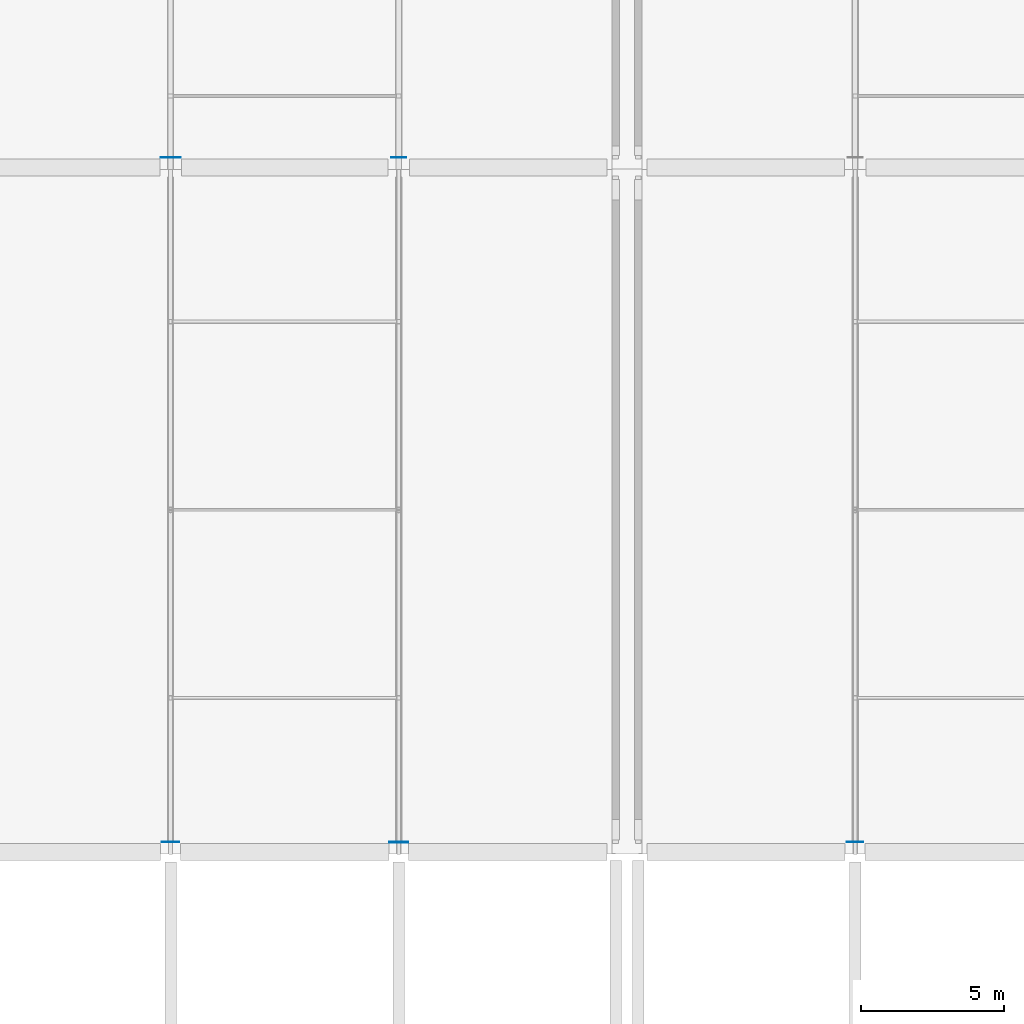
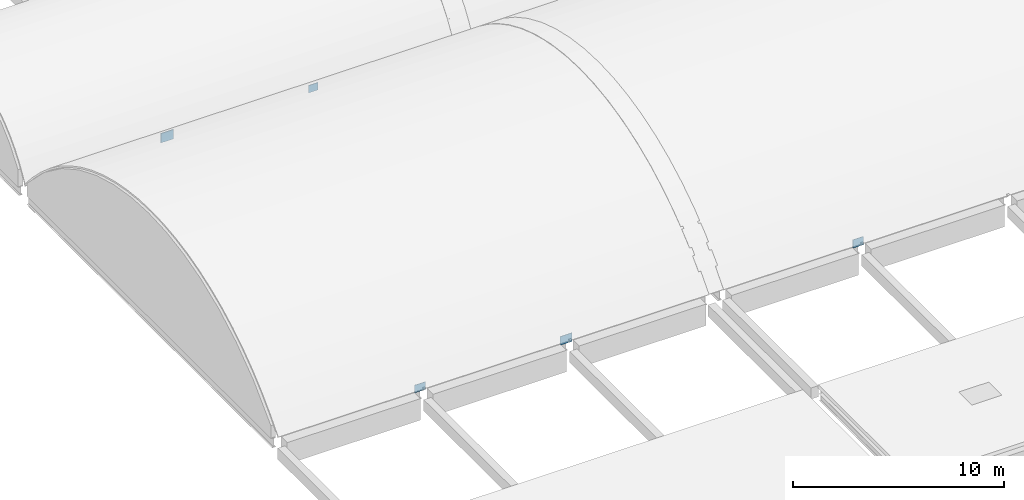
# One storey, part 47 of 57: 5 plates.
"""IFC4 building model written with IfcOpenShell, lengths in metres."""

from ifc_helpers import new_model, si_unit, direction, frame, origin, origin_2d, place, context, subcontext, project, spatial, rectangle, extrude, material, layer, layer_set, type_object, element, save


model = new_model("IFC4")

# Units and contexts
model_context = context("Model", 3, precision=1e-05, world=origin(), true_north=direction((0.0, 1.0)))
body_context = subcontext(model_context, "Body", "Model", "MODEL_VIEW")
ifc_project = project(units=[si_unit("LENGTHUNIT", "METRE"), si_unit("AREAUNIT", "SQUARE_METRE"), si_unit("VOLUMEUNIT", "CUBIC_METRE"), si_unit("PLANEANGLEUNIT", "RADIAN"), si_unit("MASSUNIT", "GRAM", prefix="KILO"), si_unit("THERMODYNAMICTEMPERATUREUNIT", "KELVIN"), si_unit("POWERUNIT", "WATT")], contexts=[model_context])

# Site, building, storey
site_placement = place(None, origin())
site = spatial("IfcSite", under=ifc_project, at=site_placement, CompositionType="ELEMENT")
building_placement = place(site_placement, origin())
building = spatial("IfcBuilding", under=site, at=building_placement, Name="Kronsvod Quay Wholesale Market", CompositionType="ELEMENT")
storey_placement = place(building_placement, frame((0.0, 0.0, 13.199951171875)))
storey = spatial("IfcBuildingStorey", under=building, at=storey_placement, Name="L03", CompositionType="ELEMENT", Elevation=13.199951171875)

# Plates
ifc_material_1 = material(Name="Steel S355", Category="steel")
ifc_layer_1 = layer(ifc_material_1, 0.02490234375)
ifc_layer_set_1 = layer_set([ifc_layer_1], Name="Steel S355")
plate_type_1 = type_object("IfcPlateType", Name="GussetPlate_GP04", PredefinedType="SHEET", material=ifc_layer_set_1)
plate_1_placement = place(storey_placement, frame((112.0, 54.35009765625, -0.3046875), z_axis=(0.0, 0.0, 1.0), x_axis=(1.0, 0.0, 0.0)))
element("IfcPlate", 1, at=plate_1_placement, inside=storey, type_object=plate_type_1, Name="GPL-0011", PredefinedType="SHEET", context=body_context, shape_type="SweptSolid", body=[
    extrude(rectangle(XDim=0.60009765625, YDim=0.02490234375, at=origin_2d()), origin(), (0.0, 0.0, 1.0), 0.449951171875),
])
ifc_material_2 = material(Name="Steel S355", Category="steel")
ifc_layer_2 = layer(ifc_material_2, 0.028076171875)
ifc_layer_set_2 = layer_set([ifc_layer_2], Name="Steel S355")
plate_type_2 = type_object("IfcPlateType", Name="GussetPlate_GP05", PredefinedType="SHEET", material=ifc_layer_set_2)
plate_2_placement = place(storey_placement, frame((120.0, 54.35009765625, -0.329833984375), z_axis=(0.0, 0.0, 1.0), x_axis=(1.0, 0.0, 0.0)))
element("IfcPlate", 2, at=plate_2_placement, inside=storey, type_object=plate_type_2, Name="GPL-0012", PredefinedType="SHEET", context=body_context, shape_type="SweptSolid", body=[
    extrude(rectangle(XDim=0.64990234375, YDim=0.028076171875, at=origin_2d()), origin(), (0.0, 0.0, 1.0), 0.5),
])
ifc_material_3 = material(Name="Steel S355", Category="steel")
ifc_layer_3 = layer(ifc_material_3, 0.030029296875)
ifc_layer_set_3 = layer_set([ifc_layer_3], Name="Steel S355")
plate_type_3 = type_object("IfcPlateType", Name="GussetPlate_GP06", PredefinedType="SHEET", material=ifc_layer_set_3)
plate_3_placement = place(storey_placement, frame((112.0, 78.35009765625, -0.35498046875), z_axis=(0.0, 0.0, 1.0), x_axis=(1.0, 0.0, 0.0)))
element("IfcPlate", 3, at=plate_3_placement, inside=storey, type_object=plate_type_3, Name="GPL-0013", PredefinedType="SHEET", context=body_context, shape_type="SweptSolid", body=[
    extrude(rectangle(XDim=0.699951171875, YDim=0.030029296875, at=origin_2d()), origin(), (0.0, 0.0, 1.0), 0.550048828125),
])
ifc_material_4 = material(Name="Steel S355", Category="steel")
ifc_layer_4 = layer(ifc_material_4, 0.02197265625)
ifc_layer_set_4 = layer_set([ifc_layer_4], Name="Steel S355")
plate_type_4 = type_object("IfcPlateType", Name="GussetPlate_GP07", PredefinedType="SHEET", material=ifc_layer_set_4)
plate_4_placement = place(storey_placement, frame((120.0, 78.35009765625, -0.2998046875), z_axis=(0.0, 0.0, 1.0), x_axis=(1.0, 0.0, 0.0)))
element("IfcPlate", 4, at=plate_4_placement, inside=storey, type_object=plate_type_4, Name="GPL-0014", PredefinedType="SHEET", context=body_context, shape_type="SweptSolid", body=[
    extrude(rectangle(XDim=0.52001953125, YDim=0.02197265625, at=origin_2d()), origin(), (0.0, 0.0, 1.0), 0.43994140625),
])
ifc_material_5 = material(Name="Steel S355", Category="steel")
ifc_layer_5 = layer(ifc_material_5, 0.02587890625)
ifc_layer_set_5 = layer_set([ifc_layer_5], Name="Steel S355")
plate_type_5 = type_object("IfcPlateType", Name="GussetPlate_GP08", PredefinedType="SHEET", material=ifc_layer_set_5)
plate_5_placement = place(storey_placement, frame((136.0, 54.35009765625, -0.31982421875), z_axis=(0.0, 0.0, 1.0), x_axis=(1.0, 0.0, 0.0)))
element("IfcPlate", 5, at=plate_5_placement, inside=storey, type_object=plate_type_5, Name="GPL-0015", PredefinedType="SHEET", context=body_context, shape_type="SweptSolid", body=[
    extrude(rectangle(XDim=0.580078125, YDim=0.02587890625, at=origin_2d()), origin(), (0.0, 0.0, 1.0), 0.47998046875),
])

save(model, "model.ifc")
